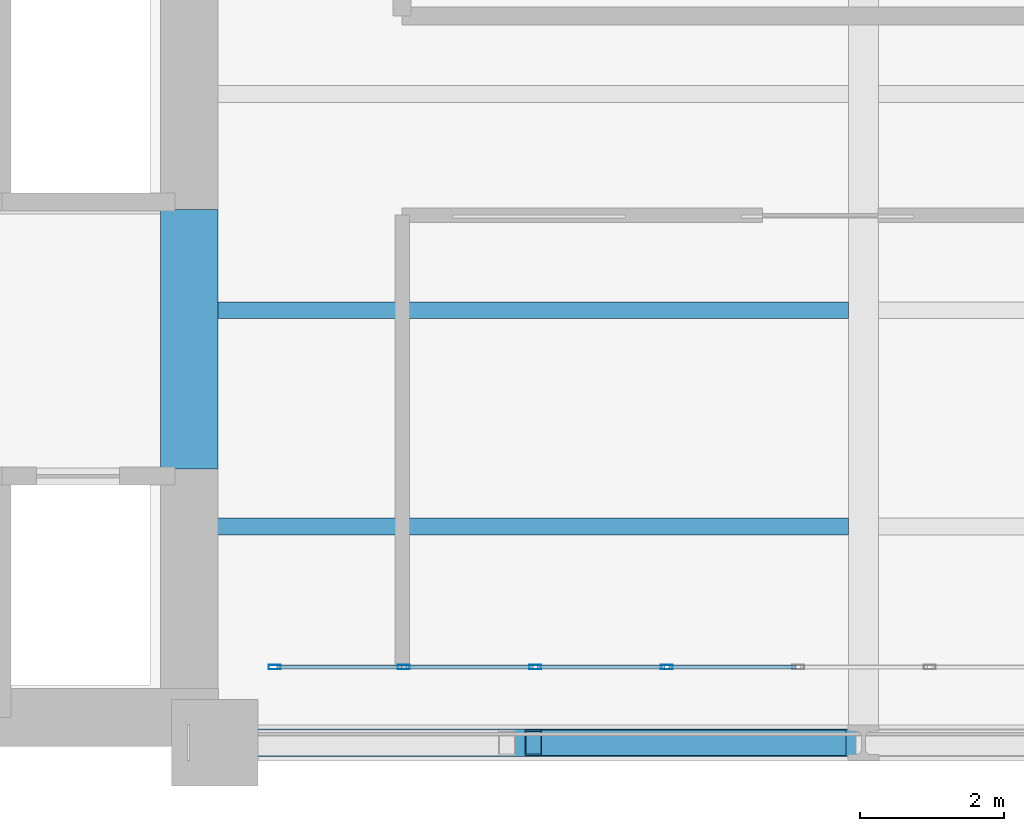
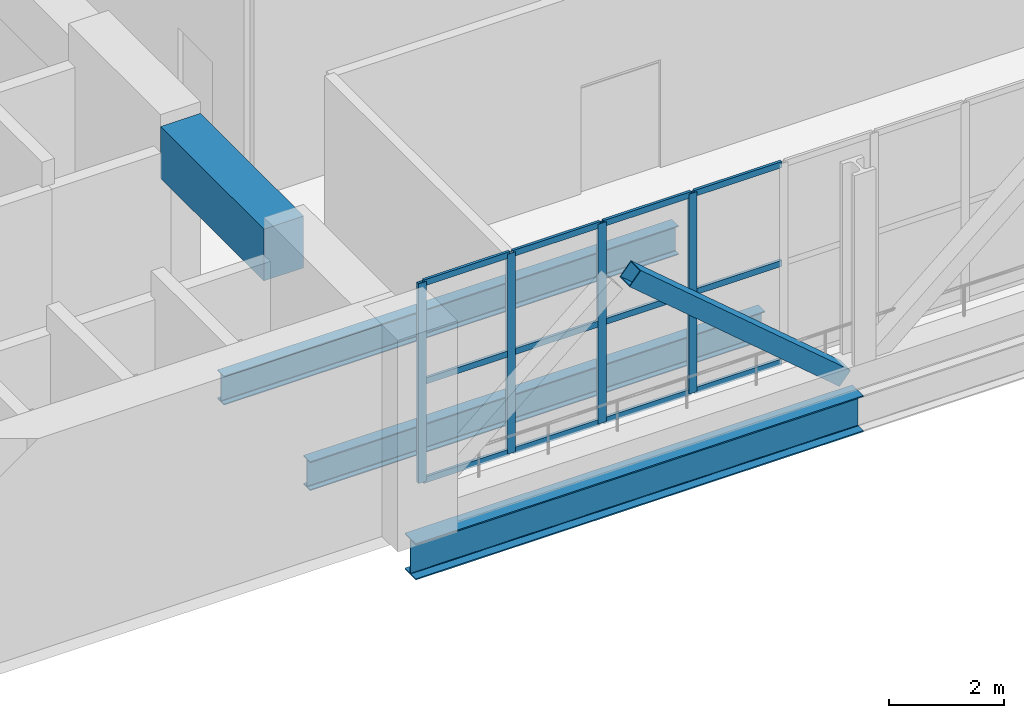
# One storey, part 2 of 27: 17 members, 4 beams, 1 element without a shape of its own.
"""IFC4 building model written with IfcOpenShell, lengths in metres."""

from ifc_helpers import new_model, si_unit, direction, frame, origin, origin_2d, place, context, subcontext, project, spatial, rectangle, hollow_rectangle, i_section, extrude, material, layer, layer_set, material_profile, profile_set, type_object, element, aggregate, save


model = new_model("IFC4")

# Units and contexts
model_context = context("Model", 3, precision=1e-05, world=origin(), true_north=direction((0.0, 1.0)))
body_context = subcontext(model_context, "Body", "Model", "MODEL_VIEW")
ifc_project = project(units=[si_unit("LENGTHUNIT", "METRE"), si_unit("AREAUNIT", "SQUARE_METRE"), si_unit("VOLUMEUNIT", "CUBIC_METRE"), si_unit("PLANEANGLEUNIT", "RADIAN"), si_unit("MASSUNIT", "GRAM", prefix="KILO")], contexts=[model_context])

# Site, building, storey
site_placement = place(None, origin())
site = spatial("IfcSite", under=ifc_project, at=site_placement, CompositionType="ELEMENT")
building_placement = place(site_placement, origin())
building = spatial("IfcBuilding", under=site, at=building_placement, Name="Mawjdan Bourse Tower", CompositionType="ELEMENT")
storey_placement = place(building_placement, frame((0.0, 0.0, 84.60009765625)))
storey = spatial("IfcBuildingStorey", under=building, at=storey_placement, Name="L19", CompositionType="ELEMENT", Elevation=84.60009765625)

# Member
ifc_material_1 = material(Name="Structural Steel S460", Category="steel")
ifc_material_profile_1 = material_profile(ifc_material_1, hollow_rectangle(XDim=0.35009765625, YDim=0.35009765625, WallThickness=0.01611328125, at=origin_2d()), Name="HSS350X350X16")
ifc_profile_set_1 = profile_set([ifc_material_profile_1], Name="Structural Steel S460")
member_type_1 = type_object("IfcMemberType", Name="BRC-HSS350X350X16", PredefinedType="BRACE", material=ifc_profile_set_1)
member_1_placement = place(storey_placement, frame((28.4208984375, 3.0, 3.7998046875), z_axis=(0.760848012119, 0.0, -0.648930121396), x_axis=(0.0, 1.0, 0.0)))
element("IfcMember", 1, at=member_1_placement, inside=storey, type_object=member_type_1, Name="L19 East Outrigger Truss 1 Diagonal 2", PredefinedType="BRACE", context=body_context, shape_type="SweptSolid", body=[
    extrude(hollow_rectangle(XDim=0.35009765625, YDim=0.35009765625, WallThickness=0.01611328125, at=origin_2d()), origin(), (0.0, 0.0, 1.0), 5.54736328125),
])

# Beams
ifc_material_2 = material(Name="Structural Steel S355", Category="steel")
ifc_material_profile_2 = material_profile(ifc_material_2, i_section(OverallWidth=0.22998046875, OverallDepth=0.616943359375, WebThickness=0.01318359375, FlangeThickness=0.022216796875, FilletRadius=0.017822265625, at=origin_2d()), Name="W24X94")
ifc_profile_set_2 = profile_set([ifc_material_profile_2], Name="Structural Steel S355")
beam_type_1 = type_object("IfcBeamType", Name="JST-W24X94", PredefinedType="JOIST", material=ifc_profile_set_2)
for number, where, z_axis, x_axis, name in (
    (2, (23.64990234375, 6.0, -0.588623046875), (1.0, 0.0, 0.0), (0.0, 1.0, 0.0), "L19 East Wing Composite Joist 023"),
    (3, (23.64990234375, 9.0, -0.588623046875), (1.0, 0.0, 0.0), (0.0, 1.0, 0.0), "L19 East Wing Composite Joist 030"),
):
    element("IfcBeam", number, at=place(storey_placement, frame(where, z_axis=z_axis, x_axis=x_axis)), inside=storey, type_object=beam_type_1, Name=name, PredefinedType="JOIST", context=body_context, shape_type="SweptSolid", body=[
        extrude(i_section(OverallWidth=0.22998046875, OverallDepth=0.616943359375, WebThickness=0.01318359375, FlangeThickness=0.022216796875, FilletRadius=0.017822265625, at=origin_2d()), origin(), (0.0, 0.0, 1.0), 9.14306640625),
    ])
ifc_material_3 = material(Name="Concrete C70/85", Category="concrete")
ifc_material_profile_3 = material_profile(ifc_material_3, rectangle(XDim=0.800048828125, YDim=1.10009765625, at=origin_2d()), Name="RCB800X1100")
ifc_profile_set_3 = profile_set([ifc_material_profile_3], Name="Concrete C70/85")
beam_type_2 = type_object("IfcBeamType", Name="LNT-RCB800X1100", PredefinedType="LINTEL", material=ifc_profile_set_3)
beam_1_placement = place(storey_placement, frame((23.64990234375, 6.800048828125, 3.699951171875), z_axis=(0.0, 1.0, 0.0), x_axis=(-1.0, 0.0, 0.0)))
element("IfcBeam", 4, at=beam_1_placement, inside=storey, type_object=beam_type_2, Name="L19 Coupled Core Lintel CB-E1", PredefinedType="LINTEL", context=body_context, shape_type="SweptSolid", body=[
    extrude(rectangle(XDim=0.800048828125, YDim=1.10009765625, at=origin_2d()), origin(), (0.0, 0.0, 1.0), 3.599853515625),
])

# Curtain wall, members
ifc_material_4 = material(Name="Thermally Broken Aluminium and Solar Glass", Category="aluminium")
ifc_layer = layer(ifc_material_4, 0.219970703125)
ifc_layer_set = layer_set([ifc_layer], Name="Thermally Broken Aluminium and Solar Glass")
curtain_wall_type = type_object("IfcCurtainWallType", Name="CW-RFG", PredefinedType="USERDEFINED", material=ifc_layer_set)
curtain_wall_placement = place(storey_placement, origin())
curtain_wall = element("IfcCurtainWall", 5, at=curtain_wall_placement, inside=storey, type_object=curtain_wall_type, Name="L19 Refuge Band South Louvre Curtain Wall", ObjectType="REFUGE BAND LOUVRE SCREEN", PredefinedType="USERDEFINED")
ifc_material_5 = material(Name="Thermally Broken Anodised Aluminium", Category="aluminium")
ifc_material_profile_4 = material_profile(ifc_material_5, hollow_rectangle(XDim=0.06494140625, YDim=0.1650390625, WallThickness=0.00390625, at=origin_2d()), Name="ALU-MUL-165X65")
ifc_profile_set_4 = profile_set([ifc_material_profile_4], Name="Thermally Broken Anodised Aluminium")
member_type_2 = type_object("IfcMemberType", Name="MUL-ALU-MUL-165X65", PredefinedType="MULLION", material=ifc_profile_set_4)
member_2_placement = place(storey_placement, frame((24.83251953125, 4.050048828125, 0.0), z_axis=(0.0, 0.0, 1.0), x_axis=(0.0, 1.0, 0.0)))
member_2 = element("IfcMember", 6, at=member_2_placement, type_object=member_type_2, Name="CW-RFG-L19-RFG-S mullion 1", PredefinedType="MULLION", context=body_context, shape_type="SweptSolid", body=[
    extrude(hollow_rectangle(XDim=0.06494140625, YDim=0.1650390625, WallThickness=0.00390625, at=origin_2d()), origin(), (0.0, 0.0, 1.0), 4.25),
])
member_3_placement = place(storey_placement, frame((26.623779296875, 4.050048828125, 0.0), z_axis=(0.0, 0.0, 1.0), x_axis=(0.0, 1.0, 0.0)))
member_3 = element("IfcMember", 7, at=member_3_placement, type_object=member_type_2, Name="CW-RFG-L19-RFG-S mullion 2", PredefinedType="MULLION", context=body_context, shape_type="SweptSolid", body=[
    extrude(hollow_rectangle(XDim=0.06494140625, YDim=0.1650390625, WallThickness=0.00390625, at=origin_2d()), origin(), (0.0, 0.0, 1.0), 4.25),
])
member_4_placement = place(storey_placement, frame((28.447509765625, 4.050048828125, 0.0), z_axis=(0.0, 0.0, 1.0), x_axis=(0.0, 1.0, 0.0)))
member_4 = element("IfcMember", 8, at=member_4_placement, type_object=member_type_2, Name="CW-RFG-L19-RFG-S mullion 3", PredefinedType="MULLION", context=body_context, shape_type="SweptSolid", body=[
    extrude(hollow_rectangle(XDim=0.06494140625, YDim=0.1650390625, WallThickness=0.00390625, at=origin_2d()), origin(), (0.0, 0.0, 1.0), 4.25),
])
member_5_placement = place(storey_placement, frame((30.271484375, 4.050048828125, 0.0), z_axis=(0.0, 0.0, 1.0), x_axis=(0.0, 1.0, 0.0)))
member_5 = element("IfcMember", 9, at=member_5_placement, type_object=member_type_2, Name="CW-RFG-L19-RFG-S mullion 4", PredefinedType="MULLION", context=body_context, shape_type="SweptSolid", body=[
    extrude(hollow_rectangle(XDim=0.06494140625, YDim=0.1650390625, WallThickness=0.00390625, at=origin_2d()), origin(), (0.0, 0.0, 1.0), 4.25),
])

# Beam
ifc_material_profile_5 = material_profile(ifc_material_2, i_section(OverallWidth=0.381103515625, OverallDepth=0.77294921875, WebThickness=0.0166015625, FlangeThickness=0.027099609375, FilletRadius=0.021728515625, at=origin_2d()), Name="W30X173")
ifc_profile_set_5 = profile_set([ifc_material_profile_5], Name="Structural Steel S355")
beam_type_3 = type_object("IfcBeamType", Name="SPN-W30X173", PredefinedType="SPANDREL", material=ifc_profile_set_5)
beam_2_placement = place(storey_placement, frame((24.0, 3.0, -0.66650390625), z_axis=(1.0, 0.0, 0.0), x_axis=(0.0, 1.0, 0.0)))
element("IfcBeam", 10, at=beam_2_placement, inside=storey, type_object=beam_type_3, Name="L19 Perimeter Masonry-Shelf Spandrel 009", PredefinedType="SPANDREL", context=body_context, shape_type="SweptSolid", body=[
    extrude(i_section(OverallWidth=0.381103515625, OverallDepth=0.77294921875, WebThickness=0.0166015625, FlangeThickness=0.027099609375, FilletRadius=0.021728515625, at=origin_2d()), origin(), (0.0, 0.0, 1.0), 9.0),
])

# Member
ifc_material_profile_6 = material_profile(ifc_material_5, hollow_rectangle(XDim=0.054931640625, YDim=0.1298828125, WallThickness=0.00341796875, at=origin_2d()), Name="ALU-TRN-130X55")
ifc_profile_set_6 = profile_set([ifc_material_profile_6], Name="Thermally Broken Anodised Aluminium")
member_type_3 = type_object("IfcMemberType", Name="TRN-ALU-TRN-130X55", PredefinedType="USERDEFINED", material=ifc_profile_set_6)
member_6_placement = place(storey_placement, frame((24.864990234375, 4.050048828125, 0.02734375), z_axis=(1.0, 0.0, 0.0), x_axis=(0.0, 1.0, 0.0)))
member_6 = element("IfcMember", 11, at=member_6_placement, type_object=member_type_3, Name="CW-RFG-L19-RFG-S transom 1.1", ObjectType="TRANSOM", PredefinedType="USERDEFINED", context=body_context, shape_type="SweptSolid", body=[
    extrude(hollow_rectangle(XDim=0.054931640625, YDim=0.1298828125, WallThickness=0.00341796875, at=origin_2d()), origin(), (0.0, 0.0, 1.0), 1.726318359375),
])

member_7_placement = place(storey_placement, frame((24.864990234375, 4.050048828125, 2.125), z_axis=(1.0, 0.0, 0.0), x_axis=(0.0, 1.0, 0.0)))
member_7 = element("IfcMember", 12, at=member_7_placement, type_object=member_type_3, Name="CW-RFG-L19-RFG-S transom 1.2", ObjectType="TRANSOM", PredefinedType="USERDEFINED", context=body_context, shape_type="SweptSolid", body=[
    extrude(hollow_rectangle(XDim=0.054931640625, YDim=0.1298828125, WallThickness=0.00341796875, at=origin_2d()), origin(), (0.0, 0.0, 1.0), 1.726318359375),
])

member_8_placement = place(storey_placement, frame((24.864990234375, 4.050048828125, 4.222412109375), z_axis=(1.0, 0.0, 0.0), x_axis=(0.0, 1.0, 0.0)))
member_8 = element("IfcMember", 13, at=member_8_placement, type_object=member_type_3, Name="CW-RFG-L19-RFG-S transom 1.3", ObjectType="TRANSOM", PredefinedType="USERDEFINED", context=body_context, shape_type="SweptSolid", body=[
    extrude(hollow_rectangle(XDim=0.054931640625, YDim=0.1298828125, WallThickness=0.00341796875, at=origin_2d()), origin(), (0.0, 0.0, 1.0), 1.726318359375),
])

member_9_placement = place(storey_placement, frame((26.65625, 4.050048828125, 0.02734375), z_axis=(1.0, 0.0, 0.0), x_axis=(0.0, 1.0, 0.0)))
member_9 = element("IfcMember", 14, at=member_9_placement, type_object=member_type_3, Name="CW-RFG-L19-RFG-S transom 2.1", ObjectType="TRANSOM", PredefinedType="USERDEFINED", context=body_context, shape_type="SweptSolid", body=[
    extrude(hollow_rectangle(XDim=0.054931640625, YDim=0.1298828125, WallThickness=0.00341796875, at=origin_2d()), origin(), (0.0, 0.0, 1.0), 1.7587890625),
])

member_10_placement = place(storey_placement, frame((26.65625, 4.050048828125, 2.125), z_axis=(1.0, 0.0, 0.0), x_axis=(0.0, 1.0, 0.0)))
member_10 = element("IfcMember", 15, at=member_10_placement, type_object=member_type_3, Name="CW-RFG-L19-RFG-S transom 2.2", ObjectType="TRANSOM", PredefinedType="USERDEFINED", context=body_context, shape_type="SweptSolid", body=[
    extrude(hollow_rectangle(XDim=0.054931640625, YDim=0.1298828125, WallThickness=0.00341796875, at=origin_2d()), origin(), (0.0, 0.0, 1.0), 1.7587890625),
])

member_11_placement = place(storey_placement, frame((26.65625, 4.050048828125, 4.222412109375), z_axis=(1.0, 0.0, 0.0), x_axis=(0.0, 1.0, 0.0)))
member_11 = element("IfcMember", 16, at=member_11_placement, type_object=member_type_3, Name="CW-RFG-L19-RFG-S transom 2.3", ObjectType="TRANSOM", PredefinedType="USERDEFINED", context=body_context, shape_type="SweptSolid", body=[
    extrude(hollow_rectangle(XDim=0.054931640625, YDim=0.1298828125, WallThickness=0.00341796875, at=origin_2d()), origin(), (0.0, 0.0, 1.0), 1.7587890625),
])

member_12_placement = place(storey_placement, frame((28.480224609375, 4.050048828125, 0.02734375), z_axis=(1.0, 0.0, 0.0), x_axis=(0.0, 1.0, 0.0)))
member_12 = element("IfcMember", 17, at=member_12_placement, type_object=member_type_3, Name="CW-RFG-L19-RFG-S transom 3.1", ObjectType="TRANSOM", PredefinedType="USERDEFINED", context=body_context, shape_type="SweptSolid", body=[
    extrude(hollow_rectangle(XDim=0.054931640625, YDim=0.1298828125, WallThickness=0.00341796875, at=origin_2d()), origin(), (0.0, 0.0, 1.0), 1.7587890625),
])

member_13_placement = place(storey_placement, frame((28.480224609375, 4.050048828125, 2.125), z_axis=(1.0, 0.0, 0.0), x_axis=(0.0, 1.0, 0.0)))
member_13 = element("IfcMember", 18, at=member_13_placement, type_object=member_type_3, Name="CW-RFG-L19-RFG-S transom 3.2", ObjectType="TRANSOM", PredefinedType="USERDEFINED", context=body_context, shape_type="SweptSolid", body=[
    extrude(hollow_rectangle(XDim=0.054931640625, YDim=0.1298828125, WallThickness=0.00341796875, at=origin_2d()), origin(), (0.0, 0.0, 1.0), 1.7587890625),
])

member_14_placement = place(storey_placement, frame((28.480224609375, 4.050048828125, 4.222412109375), z_axis=(1.0, 0.0, 0.0), x_axis=(0.0, 1.0, 0.0)))
member_14 = element("IfcMember", 19, at=member_14_placement, type_object=member_type_3, Name="CW-RFG-L19-RFG-S transom 3.3", ObjectType="TRANSOM", PredefinedType="USERDEFINED", context=body_context, shape_type="SweptSolid", body=[
    extrude(hollow_rectangle(XDim=0.054931640625, YDim=0.1298828125, WallThickness=0.00341796875, at=origin_2d()), origin(), (0.0, 0.0, 1.0), 1.7587890625),
])

member_15_placement = place(storey_placement, frame((30.303955078125, 4.050048828125, 0.02734375), z_axis=(1.0, 0.0, 0.0), x_axis=(0.0, 1.0, 0.0)))
member_15 = element("IfcMember", 20, at=member_15_placement, type_object=member_type_3, Name="CW-RFG-L19-RFG-S transom 4.1", ObjectType="TRANSOM", PredefinedType="USERDEFINED", context=body_context, shape_type="SweptSolid", body=[
    extrude(hollow_rectangle(XDim=0.054931640625, YDim=0.1298828125, WallThickness=0.00341796875, at=origin_2d()), origin(), (0.0, 0.0, 1.0), 1.7587890625),
])

member_16_placement = place(storey_placement, frame((30.303955078125, 4.050048828125, 2.125), z_axis=(1.0, 0.0, 0.0), x_axis=(0.0, 1.0, 0.0)))
member_16 = element("IfcMember", 21, at=member_16_placement, type_object=member_type_3, Name="CW-RFG-L19-RFG-S transom 4.2", ObjectType="TRANSOM", PredefinedType="USERDEFINED", context=body_context, shape_type="SweptSolid", body=[
    extrude(hollow_rectangle(XDim=0.054931640625, YDim=0.1298828125, WallThickness=0.00341796875, at=origin_2d()), origin(), (0.0, 0.0, 1.0), 1.7587890625),
])

member_17_placement = place(storey_placement, frame((30.303955078125, 4.050048828125, 4.222412109375), z_axis=(1.0, 0.0, 0.0), x_axis=(0.0, 1.0, 0.0)))
member_17 = element("IfcMember", 22, at=member_17_placement, type_object=member_type_3, Name="CW-RFG-L19-RFG-S transom 4.3", ObjectType="TRANSOM", PredefinedType="USERDEFINED", context=body_context, shape_type="SweptSolid", body=[
    extrude(hollow_rectangle(XDim=0.054931640625, YDim=0.1298828125, WallThickness=0.00341796875, at=origin_2d()), origin(), (0.0, 0.0, 1.0), 1.7587890625),
])

aggregate(curtain_wall, [member_2, member_3, member_4, member_5, member_6, member_7, member_8, member_9, member_10, member_11, member_12, member_13, member_14, member_15, member_16, member_17])

save(model, "model.ifc")
